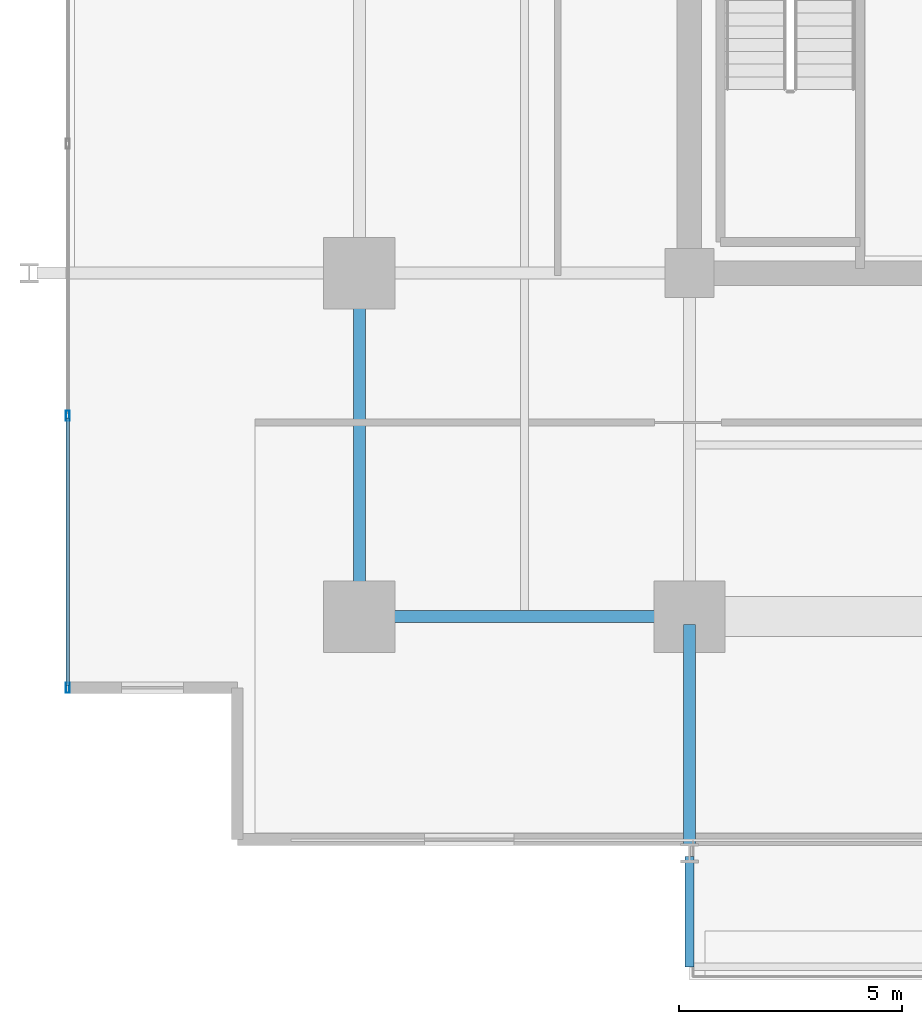
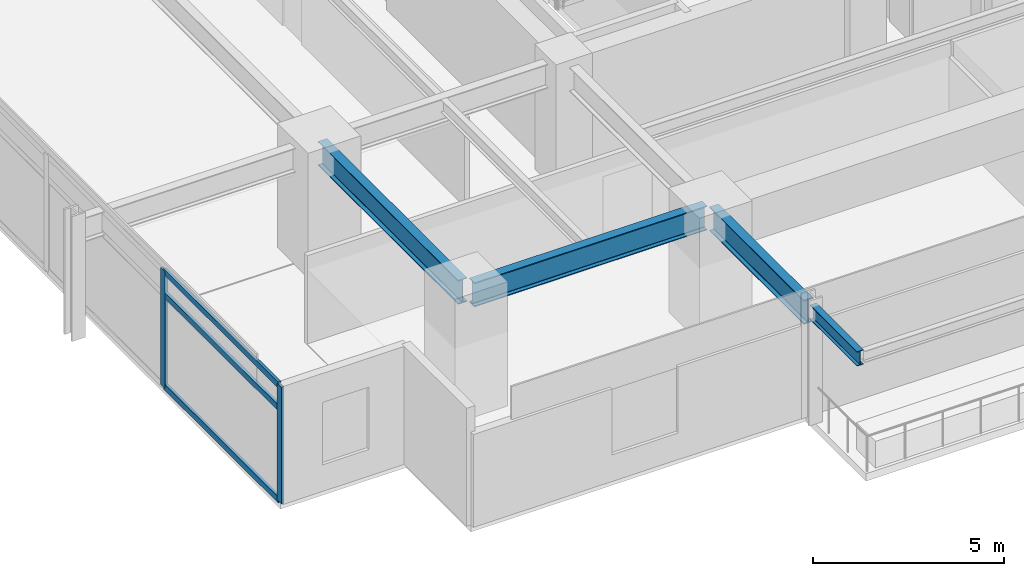
# One storey, part 2 of 21: 5 members, 4 beams, 1 element without a shape of its own.
"""IFC4 building model written with IfcOpenShell, lengths in metres."""

from ifc_helpers import new_model, si_unit, direction, frame, origin, origin_2d, place, context, subcontext, project, spatial, hollow_rectangle, i_section, extrude, material, material_profile, profile_set, type_object, element, aggregate, save


model = new_model("IFC4")

# Units and contexts
model_context = context("Model", 3, precision=1e-05, world=origin(), true_north=direction((0.0, 1.0)))
body_context = subcontext(model_context, "Body", "Model", "MODEL_VIEW")
ifc_project = project(units=[si_unit("LENGTHUNIT", "METRE"), si_unit("AREAUNIT", "SQUARE_METRE"), si_unit("VOLUMEUNIT", "CUBIC_METRE"), si_unit("PLANEANGLEUNIT", "RADIAN"), si_unit("MASSUNIT", "GRAM", prefix="KILO")], contexts=[model_context])

# Site, building, storey
site_placement = place(None, origin())
site = spatial("IfcSite", under=ifc_project, at=site_placement, CompositionType="ELEMENT")
building_placement = place(site_placement, origin())
building = spatial("IfcBuilding", under=site, at=building_placement, Name="Kovane Verandah Tower", CompositionType="ELEMENT")
storey_placement = place(building_placement, frame((0.0, 0.0, 176.39990234375)))
storey = spatial("IfcBuildingStorey", under=building, at=storey_placement, Name="L41", CompositionType="ELEMENT", Elevation=176.39990234375)

# Beams
ifc_material_1 = material(Name="Steel S355", Category="steel")
ifc_material_profile_1 = material_profile(ifc_material_1, i_section(OverallWidth=0.26806640625, OverallDepth=0.769775390625, WebThickness=0.015625, FlangeThickness=0.025390625, FilletRadius=0.0166015625, at=origin_2d()), Name="UB762x267x197")
ifc_profile_set_1 = profile_set([ifc_material_profile_1], Name="Steel S355")
beam_type_1 = type_object("IfcBeamType", Name="BM-UB762x197", PredefinedType="BEAM", material=ifc_profile_set_1)
beam_1_placement = place(storey_placement, frame((21.780029296875, 10.800048828125, 3.39013671875), z_axis=(1.0, 0.0, 0.0), x_axis=(0.0, 1.0, 0.0)))
element("IfcBeam", 1, at=beam_1_placement, inside=storey, type_object=beam_type_1, Name="L41 Primary Tower Girder G-RS1", PredefinedType="BEAM", context=body_context, shape_type="SweptSolid", body=[
    extrude(i_section(OverallWidth=0.26806640625, OverallDepth=0.769775390625, WebThickness=0.015625, FlangeThickness=0.025390625, FilletRadius=0.0166015625, at=origin_2d()), origin(), (0.0, 0.0, 1.0), 7.0400390625),
])
beam_2_placement = place(storey_placement, frame((21.60009765625, 10.97998046875, 3.39013671875), z_axis=(0.0, 1.0, 0.0), x_axis=(-1.0, 0.0, 0.0)))
element("IfcBeam", 2, at=beam_2_placement, inside=storey, type_object=beam_type_1, Name="L41 Primary Tower Girder G-RW1", PredefinedType="BEAM", context=body_context, shape_type="SweptSolid", body=[
    extrude(i_section(OverallWidth=0.26806640625, OverallDepth=0.769775390625, WebThickness=0.015625, FlangeThickness=0.025390625, FilletRadius=0.0166015625, at=origin_2d()), origin(), (0.0, 0.0, 1.0), 7.340087890625),
])
beam_3_placement = place(storey_placement, frame((29.0, 10.6201171875, 3.375244140625), z_axis=(0.0, -1.0, 0.0), x_axis=(1.0, 0.0, 0.0)))
element("IfcBeam", 3, at=beam_3_placement, inside=storey, type_object=beam_type_1, Name="L41 Primary Tower Girder G-VS1", PredefinedType="BEAM", context=body_context, shape_type="SweptSolid", body=[
    extrude(i_section(OverallWidth=0.26806640625, OverallDepth=0.769775390625, WebThickness=0.015625, FlangeThickness=0.025390625, FilletRadius=0.0166015625, at=origin_2d()), origin(), (0.0, 0.0, 1.0), 4.940185546875),
])

# Curtain wall, members
ifc_material_2 = material(Name="Champagne Anodised Aluminium Frame with Low-E Clear Laminated Glass", Category="aluminium")
curtain_wall_type = type_object("IfcCurtainWallType", Name="CW-SYS-03-MID", PredefinedType="NOTDEFINED", material=ifc_material_2)
curtain_wall_placement = place(storey_placement, origin())
curtain_wall = element("IfcCurtainWall", 4, at=curtain_wall_placement, inside=storey, type_object=curtain_wall_type, Name="L41 W Unitised Curtain Wall", PredefinedType="NOTDEFINED")
ifc_material_3 = material(Name="Champagne Anodised Aluminium 6063-T6", Category="aluminium")
ifc_material_profile_2 = material_profile(ifc_material_3, hollow_rectangle(XDim=0.0849609375, YDim=0.22998046875, WallThickness=0.00390625, at=origin_2d()), Name="AL85x230x4")
ifc_profile_set_2 = profile_set([ifc_material_profile_2], Name="Champagne Anodised Aluminium 6063-T6")
member_type_1 = type_object("IfcMemberType", Name="CW-MUL-85x230", PredefinedType="MULLION", material=ifc_profile_set_2)
member_1_placement = place(storey_placement, frame((15.064208984375, 15.30322265625, 0.02001953125), z_axis=(0.0, 0.0, 1.0), x_axis=(-1.0, 0.0, 0.0)))
member_1 = element("IfcMember", 5, at=member_1_placement, type_object=member_type_1, Name="L41 W Unitised Curtain Wall Mullion 6", PredefinedType="MULLION", context=body_context, shape_type="SweptSolid", body=[
    extrude(hollow_rectangle(XDim=0.0849609375, YDim=0.22998046875, WallThickness=0.00390625, at=origin_2d()), origin(), (0.0, 0.0, 1.0), 3.735107421875),
])
member_2_placement = place(storey_placement, frame((15.064208984375, 9.205078125, 0.02001953125), z_axis=(0.0, 0.0, 1.0), x_axis=(-1.0, 0.0, 0.0)))
member_2 = element("IfcMember", 6, at=member_2_placement, type_object=member_type_1, Name="L41 W Unitised Curtain Wall Mullion 7", PredefinedType="MULLION", context=body_context, shape_type="SweptSolid", body=[
    extrude(hollow_rectangle(XDim=0.0849609375, YDim=0.22998046875, WallThickness=0.00390625, at=origin_2d()), origin(), (0.0, 0.0, 1.0), 3.735107421875),
])
ifc_material_profile_3 = material_profile(ifc_material_3, hollow_rectangle(XDim=0.0849609375, YDim=0.18994140625, WallThickness=0.00390625, at=origin_2d()), Name="AL85x190x4")
ifc_profile_set_3 = profile_set([ifc_material_profile_3], Name="Champagne Anodised Aluminium 6063-T6")
member_type_2 = type_object("IfcMemberType", Name="CW-TRN-85x190", PredefinedType="USERDEFINED", material=ifc_profile_set_3)
member_3_placement = place(storey_placement, frame((15.064208984375, 15.25341796875, 0.050048828125), z_axis=(0.0, -1.0, 0.0), x_axis=(1.0, 0.0, 0.0)))
member_3 = element("IfcMember", 7, at=member_3_placement, type_object=member_type_2, Name="L41 W Unitised Curtain Wall Transom TB Bay 6", ObjectType="TRANSOM", PredefinedType="USERDEFINED", context=body_context, shape_type="SweptSolid", body=[
    extrude(hollow_rectangle(XDim=0.0849609375, YDim=0.18994140625, WallThickness=0.00390625, at=origin_2d()), origin(), (0.0, 0.0, 1.0), 5.99853515625),
])
member_4_placement = place(storey_placement, frame((15.064208984375, 15.25341796875, 2.9951171875), z_axis=(0.0, -1.0, 0.0), x_axis=(1.0, 0.0, 0.0)))
member_4 = element("IfcMember", 8, at=member_4_placement, type_object=member_type_2, Name="L41 W Unitised Curtain Wall Transom TM Bay 6", ObjectType="TRANSOM", PredefinedType="USERDEFINED", context=body_context, shape_type="SweptSolid", body=[
    extrude(hollow_rectangle(XDim=0.0849609375, YDim=0.18994140625, WallThickness=0.00390625, at=origin_2d()), origin(), (0.0, 0.0, 1.0), 5.99853515625),
])
member_5_placement = place(storey_placement, frame((15.064208984375, 15.25341796875, 3.72509765625), z_axis=(0.0, -1.0, 0.0), x_axis=(1.0, 0.0, 0.0)))
member_5 = element("IfcMember", 9, at=member_5_placement, type_object=member_type_2, Name="L41 W Unitised Curtain Wall Transom TT Bay 6", ObjectType="TRANSOM", PredefinedType="USERDEFINED", context=body_context, shape_type="SweptSolid", body=[
    extrude(hollow_rectangle(XDim=0.0849609375, YDim=0.18994140625, WallThickness=0.00390625, at=origin_2d()), origin(), (0.0, 0.0, 1.0), 5.99853515625),
])
aggregate(curtain_wall, [member_1, member_2, member_3, member_4, member_5])

# Beam
ifc_material_profile_4 = material_profile(ifc_material_1, i_section(OverallWidth=0.19287109375, OverallDepth=0.46728515625, WebThickness=0.011474609375, FlangeThickness=0.01953125, FilletRadius=0.01025390625, at=origin_2d()), Name="UB457x191x98")
ifc_profile_set_4 = profile_set([ifc_material_profile_4], Name="Steel S355")
beam_type_2 = type_object("IfcBeamType", Name="JST-UB457x98", PredefinedType="JOIST", material=ifc_profile_set_4)
beam_4_placement = place(storey_placement, frame((29.0, 5.419921875, 3.526611328125), z_axis=(0.0, -1.0, 0.0), x_axis=(1.0, 0.0, 0.0)))
element("IfcBeam", 10, at=beam_4_placement, inside=storey, type_object=beam_type_2, Name="L41 South Planter Girder 1", PredefinedType="JOIST", context=body_context, shape_type="SweptSolid", body=[
    extrude(i_section(OverallWidth=0.19287109375, OverallDepth=0.46728515625, WebThickness=0.011474609375, FlangeThickness=0.01953125, FilletRadius=0.01025390625, at=origin_2d()), origin(), (0.0, 0.0, 1.0), 2.469970703125),
])

save(model, "model.ifc")
